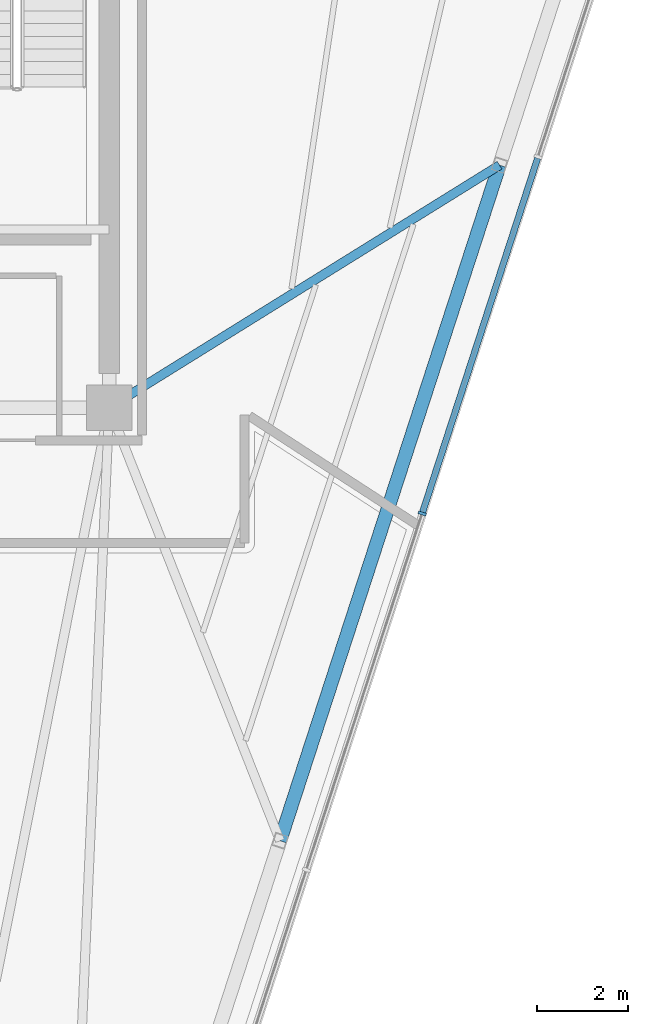
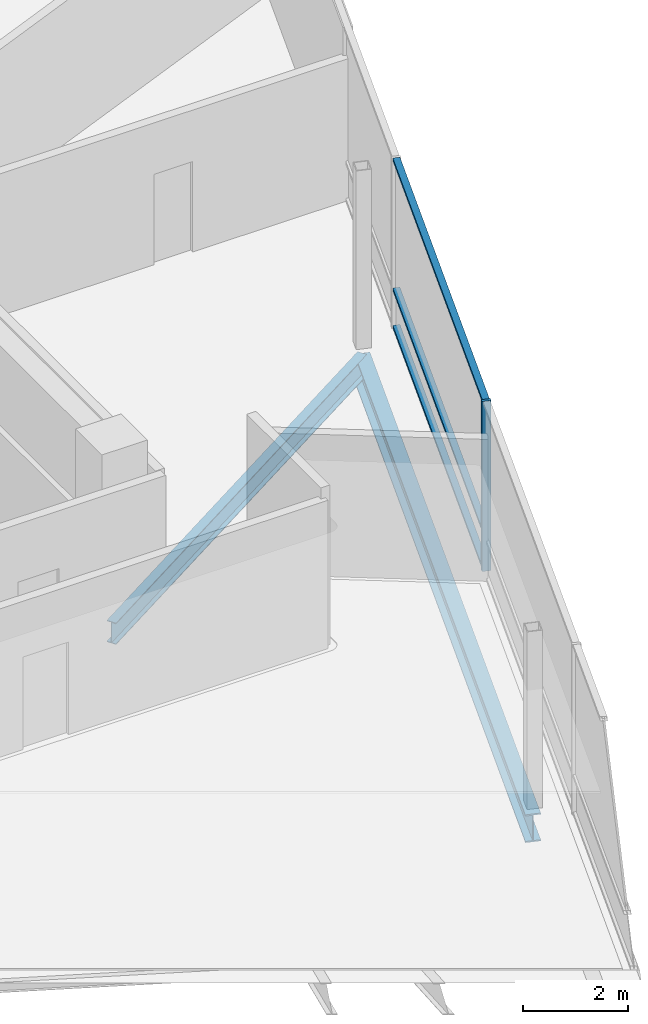
# One storey, part 6 of 17: 4 members, 2 beams, 1 element without a shape of its own.
"""IFC4 building model written with IfcOpenShell, lengths in metres."""

from ifc_helpers import new_model, si_unit, direction, frame, origin, origin_2d, place, context, subcontext, project, spatial, rectangle, i_section, extrude, material, layer, layer_set, material_profile, profile_set, type_object, element, aggregate, save


model = new_model("IFC4")

# Units and contexts
model_context = context("Model", 3, precision=1e-05, world=origin(), true_north=direction((0.0, 1.0)))
body_context = subcontext(model_context, "Body", "Model", "MODEL_VIEW")
ifc_project = project(units=[si_unit("LENGTHUNIT", "METRE"), si_unit("AREAUNIT", "SQUARE_METRE"), si_unit("VOLUMEUNIT", "CUBIC_METRE"), si_unit("PLANEANGLEUNIT", "RADIAN"), si_unit("MASSUNIT", "GRAM", prefix="KILO")], contexts=[model_context])

# Site, building, storey
site_placement = place(None, origin())
site = spatial("IfcSite", under=ifc_project, at=site_placement, CompositionType="ELEMENT")
building_placement = place(site_placement, origin())
building = spatial("IfcBuilding", under=site, at=building_placement, Name="Tharavind Bronze Gate", CompositionType="ELEMENT")
storey_placement = place(building_placement, frame((0.0, 0.0, 298.0)))
storey = spatial("IfcBuildingStorey", under=building, at=storey_placement, Name="L77", CompositionType="ELEMENT", Elevation=298.0)

# Curtain wall, members
ifc_material_1 = material(Name="Anodised Bronze Aluminium", Category="aluminium")
ifc_layer = layer(ifc_material_1, 0.219970703125)
ifc_layer_set = layer_set([ifc_layer], Name="Anodised Bronze Aluminium")
curtain_wall_type = type_object("IfcCurtainWallType", Name="UNITISED CURTAIN WALL CROWN", PredefinedType="USERDEFINED", material=ifc_layer_set)
curtain_wall_placement = place(storey_placement, origin())
curtain_wall = element("IfcCurtainWall", 1, at=curtain_wall_placement, inside=storey, type_object=curtain_wall_type, Name="L77 unitised curtain wall crown CW-L77-S2", ObjectType="UNITISED CURTAIN WALL", PredefinedType="USERDEFINED")
member_type_1 = type_object("IfcMemberType", Name="CURTAIN WALL BRONZE MULLION 65X180", PredefinedType="MULLION", material=ifc_material_1)
member_1_placement = place(storey_placement, frame((15.78759765625, -9.9296875, 0.0), z_axis=(0.0, 0.0, 1.0), x_axis=(0.309016994375, 0.951056516295, 0.0)))
member_1 = element("IfcMember", 2, at=member_1_placement, type_object=member_type_1, Name="CW-L77-S2 mullion 4", PredefinedType="MULLION", context=body_context, shape_type="SweptSolid", body=[
    extrude(rectangle(XDim=0.06494140625, YDim=0.179931640625, at=origin_2d()), origin(), (0.0, 0.0, 1.0), 3.949951171875),
])
member_type_2 = type_object("IfcMemberType", Name="CURTAIN WALL BRONZE TRANSOM 65X140", PredefinedType="USERDEFINED", material=ifc_material_1)
member_2_placement = place(storey_placement, frame((17.06201171875, -6.007568359375, 0.0), z_axis=(0.0, 0.0, 1.0), x_axis=(0.309016994375, 0.951056516295, 0.0)))
member_2 = element("IfcMember", 3, at=member_2_placement, type_object=member_type_2, Name="CW-L77-S2 transom TB4", ObjectType="TRANSOM", PredefinedType="USERDEFINED", context=body_context, shape_type="SweptSolid", body=[
    extrude(rectangle(XDim=8.195068359375, YDim=0.139892578125, at=origin_2d()), origin(), (0.0, 0.0, 1.0), 0.06494140625),
])
member_3_placement = place(storey_placement, frame((17.06201171875, -6.007568359375, 0.867431640625), z_axis=(0.0, 0.0, 1.0), x_axis=(0.309016994375, 0.951056516295, 0.0)))
member_3 = element("IfcMember", 4, at=member_3_placement, type_object=member_type_2, Name="CW-L77-S2 transom TS4", ObjectType="TRANSOM", PredefinedType="USERDEFINED", context=body_context, shape_type="SweptSolid", body=[
    extrude(rectangle(XDim=8.195068359375, YDim=0.139892578125, at=origin_2d()), origin(), (0.0, 0.0, 1.0), 0.06494140625),
])
member_4_placement = place(storey_placement, frame((17.06201171875, -6.007568359375, 3.885009765625), z_axis=(0.0, 0.0, 1.0), x_axis=(0.309016994375, 0.951056516295, 0.0)))
member_4 = element("IfcMember", 5, at=member_4_placement, type_object=member_type_2, Name="CW-L77-S2 transom TT4", ObjectType="TRANSOM", PredefinedType="USERDEFINED", context=body_context, shape_type="SweptSolid", body=[
    extrude(rectangle(XDim=8.195068359375, YDim=0.139892578125, at=origin_2d()), origin(), (0.0, 0.0, 1.0), 0.06494140625),
])
aggregate(curtain_wall, [member_1, member_2, member_3, member_4])

# Beams
ifc_material_2 = material(Name="Steel S355", Category="steel")
ifc_material_profile_1 = material_profile(ifc_material_2, i_section(OverallWidth=0.300048828125, OverallDepth=0.64990234375, WebThickness=0.01611328125, FlangeThickness=0.031005859375, at=origin_2d()), Name="HE650B")
ifc_profile_set_1 = profile_set([ifc_material_profile_1], Name="Steel S355")
beam_type_1 = type_object("IfcBeamType", Name="PRIMARY GIRDER HE650B", PredefinedType="USERDEFINED", material=ifc_profile_set_1)
beam_1_placement = place(storey_placement, frame((12.6591796875, -17.130615234375, -0.52490234375), z_axis=(0.30902108499, 0.951055187164, 0.0), x_axis=(-0.951055187164, 0.30902108499, 0.0)))
element("IfcBeam", 6, at=beam_1_placement, inside=storey, type_object=beam_type_1, Name="L77 primary girder he650b BM-L77-PRG06", ObjectType="GIRDER", PredefinedType="USERDEFINED", context=body_context, shape_type="SweptSolid", body=[
    extrude(i_section(OverallWidth=0.300048828125, OverallDepth=0.64990234375, WebThickness=0.01611328125, FlangeThickness=0.031005859375, at=origin_2d()), origin(), (0.0, 0.0, 1.0), 15.63037109375),
])
ifc_material_profile_2 = material_profile(ifc_material_2, i_section(OverallWidth=0.199951171875, OverallDepth=0.5, WebThickness=0.01025390625, FlangeThickness=0.01611328125, at=origin_2d()), Name="IPE500")
ifc_profile_set_2 = profile_set([ifc_material_profile_2], Name="Steel S355")
beam_type_2 = type_object("IfcBeamType", Name="PRIMARY GIRDER IPE500", PredefinedType="USERDEFINED", material=ifc_profile_set_2)
beam_2_placement = place(storey_placement, frame((17.4892578125, -2.265380859375, -0.449951171875), z_axis=(-0.849489786576, -0.527605063, 0.0), x_axis=(0.527605063, -0.849489786576, 0.0)))
element("IfcBeam", 7, at=beam_2_placement, inside=storey, type_object=beam_type_2, Name="L77 primary girder ipe500 BM-L77-RAD07", ObjectType="GIRDER", PredefinedType="USERDEFINED", context=body_context, shape_type="SweptSolid", body=[
    extrude(i_section(OverallWidth=0.199951171875, OverallDepth=0.5, WebThickness=0.01025390625, FlangeThickness=0.01611328125, at=origin_2d()), origin(), (0.0, 0.0, 1.0), 10.111083984375),
])

save(model, "model.ifc")
